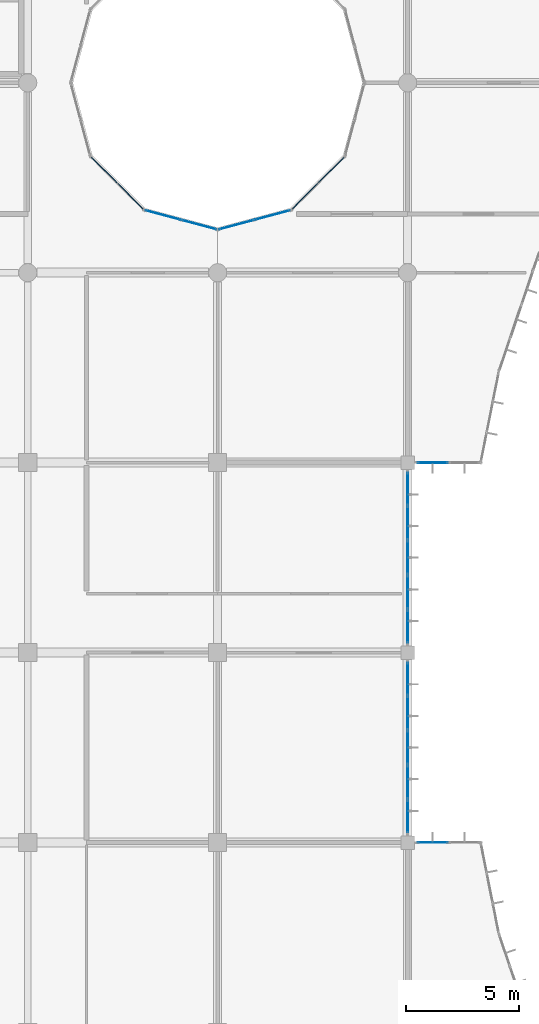
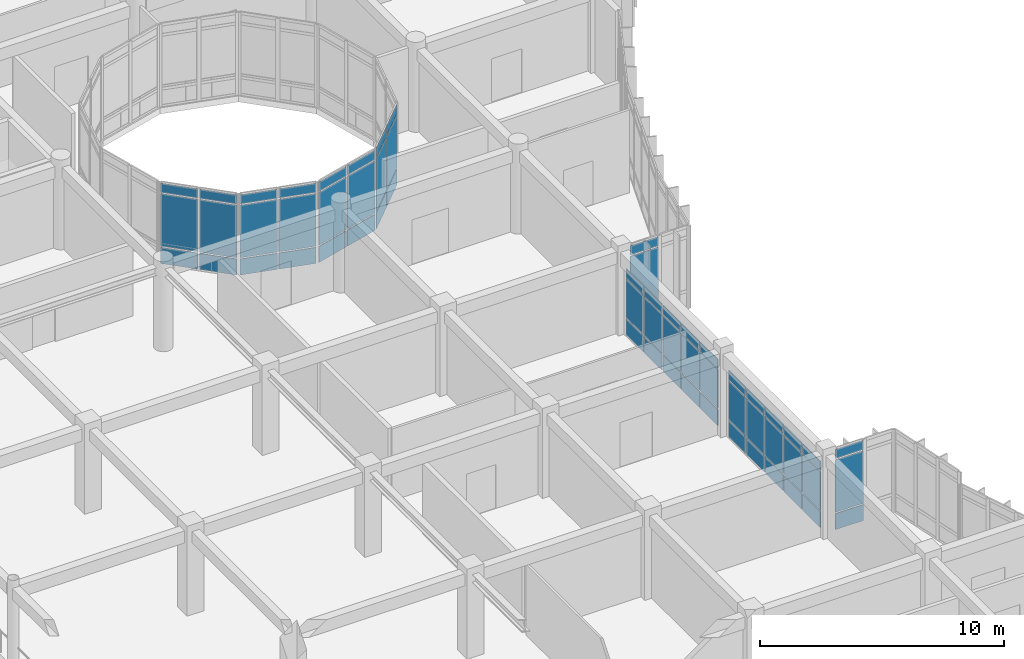
# One storey, part 77 of 144: 60 plates, 8 elements without a shape of their own.
"""IFC4 building model written with IfcOpenShell, lengths in metres."""

import ifcopenshell
import ifcopenshell.guid

model = None  # the IFC model being written
_history = None  # IfcOwnerHistory: only IFC2X3 demands one
_inside = {}  # id of a spatial element -> (the spatial element, [elements in it])
_under = {}  # id of a project, library or spatial element -> (it, [spatial elements below it])
_declared = {}  # id of a project -> (the project, [libraries it declares])
_typed = {}  # id of a type object -> (the type object, [elements of that type])
_made_of = {}  # id of a material, layer set ... -> (it, [elements and type objects made of it])


def new_model(schema):
    """Start an empty IFC model of exactly this schema.

    Asked for "IFC4X3", IfcOpenShell would pick the latest addendum, in which some entities
    have other attributes; the version numbers below select the first issue.
    IFC2X3 requires an IfcOwnerHistory on every rooted entity: one is made here for all.
    """
    global model, _history
    if schema == "IFC4X3":
        model = ifcopenshell.file(schema_version=(4, 3, 0, 0))
    else:
        model = ifcopenshell.file(schema=schema)
    _inside.clear()
    _under.clear()
    _declared.clear()
    _typed.clear()
    _made_of.clear()
    _history = None
    if model.schema == "IFC2X3":
        org = make("IfcOrganization", Name="unknown")
        user = make(
            "IfcPersonAndOrganization",
            ThePerson=make("IfcPerson", FamilyName="unknown"),
            TheOrganization=org,
        )
        app = make(
            "IfcApplication",
            ApplicationDeveloper=org,
            Version="unknown",
            ApplicationFullName="unknown",
            ApplicationIdentifier="unknown",
        )
        _history = make(
            "IfcOwnerHistory",
            OwningUser=user,
            OwningApplication=app,
            ChangeAction="ADDED",
            CreationDate=0,
        )
    return model


def make(cls, **values):
    """One entity of the class cls with the attributes given. An attribute that is None is left unset."""
    return model.create_entity(
        cls, **{name: value for name, value in values.items() if value is not None}
    )


def rooted(cls, **values):
    """An entity with a GlobalId (a new one), such as an element, a storey or a relation."""
    return make(cls, GlobalId=ifcopenshell.guid.new(), OwnerHistory=_history, **values)


def si_unit(unit_type, name, prefix=None):
    """IfcSIUnit, for example si_unit("LENGTHUNIT", "METRE", prefix="MILLI")."""
    return make("IfcSIUnit", UnitType=unit_type, Prefix=prefix, Name=name)


def assignment(units):
    """IfcUnitAssignment: the units of a project."""
    return None if units is None else make("IfcUnitAssignment", Units=units)


def point(xyz):
    """IfcCartesianPoint."""
    return None if xyz is None else make("IfcCartesianPoint", Coordinates=xyz)


def direction(xyz):
    """IfcDirection."""
    return None if xyz is None else make("IfcDirection", DirectionRatios=xyz)


def frame(location, z_axis=None, x_axis=None):
    """IfcAxis2Placement3D, a coordinate frame: its origin and axes. An axis left out is left unset."""
    return make(
        "IfcAxis2Placement3D",
        Location=point(location),
        Axis=direction(z_axis),
        RefDirection=direction(x_axis),
    )


def frame_2d(location, x_axis=None):
    """IfcAxis2Placement2D, a coordinate frame in the plane: its origin and x axis."""
    return make(
        "IfcAxis2Placement2D", Location=point(location), RefDirection=direction(x_axis)
    )


def origin():
    """The frame at (0, 0, 0) with its axes left unset."""
    return frame((0.0, 0.0, 0.0))


def origin_2d():
    """The frame at (0, 0) in the plane with its x axis left unset."""
    return frame_2d((0.0, 0.0))


def place(relative_to, where):
    """IfcLocalPlacement: puts the frame where relative to a parent placement (None: the world)."""
    return make(
        "IfcLocalPlacement", PlacementRelTo=relative_to, RelativePlacement=where
    )


def context(
    kind, dimensions, precision=None, world=None, true_north=None, identifier=None
):
    """IfcGeometricRepresentationContext, for example the 3D "Model" context."""
    return make(
        "IfcGeometricRepresentationContext",
        ContextIdentifier=identifier,
        ContextType=kind,
        CoordinateSpaceDimension=dimensions,
        Precision=precision,
        WorldCoordinateSystem=world,
        TrueNorth=true_north,
    )


def subcontext(parent, identifier, kind, view, scale=None):
    """IfcGeometricRepresentationSubContext, for example "Body" below "Model"."""
    return make(
        "IfcGeometricRepresentationSubContext",
        ContextIdentifier=identifier,
        ContextType=kind,
        ParentContext=parent,
        TargetScale=scale,
        TargetView=view,
    )


def project(units=None, contexts=None):
    """IfcProject with its units and contexts."""
    return rooted(
        "IfcProject",
        Name="project",
        RepresentationContexts=contexts,
        UnitsInContext=assignment(units),
    )


def spatial(cls, under=None, at=None, **own):
    """A site, building, storey or space (cls), placed at a placement, below another one or the project."""
    s = rooted(cls, ObjectPlacement=at, **own)
    if under is not None:
        _under.setdefault(under.id(), (under, []))[1].append(s)
    return s


def profile(cls, at=None, kind="AREA", **sizes):
    """A parametric profile (cls). Its sizes go by their IFC names, for example OverallWidth=200.0."""
    return make(cls, ProfileType=kind, Position=at, **sizes)


def rectangle(**sizes):
    """IfcRectangleProfileDef."""
    return profile("IfcRectangleProfileDef", **sizes)


def extrude(swept, where, along, depth):
    """IfcExtrudedAreaSolid: the profile swept, set in the frame where, extruded along a direction by depth."""
    return make(
        "IfcExtrudedAreaSolid",
        SweptArea=swept,
        Position=where,
        ExtrudedDirection=direction(along),
        Depth=depth,
    )


def shape(context_of_items, identifier, shape_type, items):
    """IfcShapeRepresentation: the items that make up one representation, for example the "Body"."""
    return make(
        "IfcShapeRepresentation",
        ContextOfItems=context_of_items,
        RepresentationIdentifier=identifier,
        RepresentationType=shape_type,
        Items=items,
    )


def material(Name=None, Category=None):
    """IfcMaterial."""
    return make("IfcMaterial", Name=Name, Category=Category)


def layer(
    of_material, thickness, ventilated=None, Name=None, Category=None, Priority=None
):
    """IfcMaterialLayer: one layer of a wall or slab, of a material (None: an air gap)."""
    return make(
        "IfcMaterialLayer",
        Material=of_material,
        LayerThickness=thickness,
        IsVentilated=ventilated,
        Name=Name,
        Category=Category,
        Priority=Priority,
    )


def layer_set(layers, Name=None):
    """IfcMaterialLayerSet."""
    return make("IfcMaterialLayerSet", MaterialLayers=layers, LayerSetName=Name)


def made_of(thing, what):
    """Note that an element or type object is made of a material, layer set ...; save() writes the relation."""
    if what is not None:
        _made_of.setdefault(what.id(), (what, []))[1].append(thing)
    return thing


def type_object(cls, material=None, **own):
    """A type object (cls), such as IfcWallType, which elements share."""
    return made_of(rooted(cls, **own), material)


def element(
    cls,
    number,
    at=None,
    inside=None,
    cuts=None,
    type_object=None,
    material=None,
    context=None,
    identifier="Body",
    shape_type=None,
    held_by="IfcProductDefinitionShape",
    body=None,
    shapes=None,
    **own,
):
    """One element of the class cls, such as IfcWall. Its Tag is "e" and its number.

    at: its placement. inside: the storey or other place that contains it. cuts: it is an
    opening in that element (IfcRelVoidsElement). A single representation is given by context,
    identifier, shape_type and body (its items); several are given by shapes. held_by: the class
    of the entity that holds the representations. save() writes the other relations.
    """
    e = rooted(cls, Tag="e%d" % number, ObjectPlacement=at, **own)
    if body is not None:
        shapes = [shape(context, identifier, shape_type, body)]
    if shapes is not None:
        e.Representation = make(held_by, Representations=shapes)
    if inside is not None:
        _inside.setdefault(inside.id(), (inside, []))[1].append(e)
    if cuts is not None:
        rooted(
            "IfcRelVoidsElement", RelatingBuildingElement=cuts, RelatedOpeningElement=e
        )
    if type_object is not None:
        _typed.setdefault(type_object.id(), (type_object, []))[1].append(e)
    return made_of(e, material)


def aggregate(whole, parts):
    """IfcRelAggregates: a whole, such as a stair, and the parts it consists of."""
    return rooted("IfcRelAggregates", RelatingObject=whole, RelatedObjects=parts)


def save(model, path):
    """Write the relations noted so far, then the file.

    IfcRelAggregates (storeys below a building ...), IfcRelContainedInSpatialStructure (elements
    in a storey), IfcRelDefinesByType, IfcRelAssociatesMaterial and IfcRelDeclares: one each for
    every whole, place, type object, material and project.
    """
    for whole, parts in _under.values():
        aggregate(whole, parts)
    for where, things in _inside.values():
        rooted(
            "IfcRelContainedInSpatialStructure",
            RelatedElements=things,
            RelatingStructure=where,
        )
    for kind, things in _typed.values():
        rooted("IfcRelDefinesByType", RelatedObjects=things, RelatingType=kind)
    for what, things in _made_of.values():
        rooted("IfcRelAssociatesMaterial", RelatedObjects=things, RelatingMaterial=what)
    for by, libraries in _declared.values():
        rooted("IfcRelDeclares", RelatingContext=by, RelatedDefinitions=libraries)
    model.write(path)


model = new_model("IFC4")

# Units and contexts
model_context = context("Model", 3, precision=1e-05, world=origin(), true_north=direction((0.0, 1.0)))
body_context = subcontext(model_context, "Body", "Model", "MODEL_VIEW")
ifc_project = project(units=[si_unit("LENGTHUNIT", "METRE"), si_unit("AREAUNIT", "SQUARE_METRE"), si_unit("VOLUMEUNIT", "CUBIC_METRE"), si_unit("PLANEANGLEUNIT", "RADIAN"), si_unit("MASSUNIT", "GRAM", prefix="KILO")], contexts=[model_context])

# Site, building, storey
site_placement = place(None, origin())
site = spatial("IfcSite", under=ifc_project, at=site_placement, CompositionType="ELEMENT")
building_placement = place(site_placement, origin())
building = spatial("IfcBuilding", under=site, at=building_placement, Name="Bramfleet General Hospital", CompositionType="ELEMENT")
storey_placement = place(building_placement, frame((0.0, 0.0, 4.800048828125)))
storey = spatial("IfcBuildingStorey", under=building, at=storey_placement, Name="L01", CompositionType="ELEMENT", Elevation=4.800048828125)

# Curtain wall, plates
ifc_material_1 = material(Name="Anodised aluminium and low-E triple glazing", Category="aluminium")
ifc_layer_1 = layer(ifc_material_1, 0.179931640625, Name="CWT-CW-11")
ifc_layer_set_1 = layer_set([ifc_layer_1], Name="Anodised aluminium and low-E triple glazing")
curtain_wall_type_1 = type_object("IfcCurtainWallType", Name="CWT-CW-11", PredefinedType="USERDEFINED", material=ifc_layer_set_1)
curtain_wall_1_placement = place(storey_placement, origin())
curtain_wall_1 = element("IfcCurtainWall", 1, at=curtain_wall_1_placement, inside=storey, type_object=curtain_wall_type_1, Name="L01 Curtain Wall 65", ObjectType="Stick curtain wall", PredefinedType="USERDEFINED")
ifc_material_2 = material(Name="Low-E laminated safety glass", Category="glass")
ifc_layer_2 = layer(ifc_material_2, 0.028076171875, Name="CWP-GLZ-1")
ifc_layer_set_2 = layer_set([ifc_layer_2], Name="Low-E laminated safety glass")
plate_type_1 = type_object("IfcPlateType", Name="CWP-GLZ-1", PredefinedType="CURTAIN_PANEL", material=ifc_layer_set_2)
plate_1_placement = place(storey_placement, frame((127.107421875, 33.60009765625, 0.06494140625), z_axis=(0.0, 0.0, 1.0), x_axis=(1.0, 0.0, 0.0)))
plate_1 = element("IfcPlate", 2, at=plate_1_placement, type_object=plate_type_1, Name="CW-11 panel 1.1", PredefinedType="CURTAIN_PANEL", context=body_context, shape_type="SweptSolid", body=[
    extrude(rectangle(XDim=1.324951171875, YDim=0.028076171875, at=origin_2d()), origin(), (0.0, 0.0, 1.0), 0.802490234375),
])
plate_2_placement = place(storey_placement, frame((127.107421875, 33.60009765625, 0.932373046875), z_axis=(0.0, 0.0, 1.0), x_axis=(1.0, 0.0, 0.0)))
plate_2 = element("IfcPlate", 3, at=plate_2_placement, type_object=plate_type_1, Name="CW-11 panel 1.2", PredefinedType="CURTAIN_PANEL", context=body_context, shape_type="SweptSolid", body=[
    extrude(rectangle(XDim=1.324951171875, YDim=0.028076171875, at=origin_2d()), origin(), (0.0, 0.0, 1.0), 2.625),
])
plate_3_placement = place(storey_placement, frame((127.107421875, 33.60009765625, 3.62255859375), z_axis=(0.0, 0.0, 1.0), x_axis=(1.0, 0.0, 0.0)))
plate_3 = element("IfcPlate", 4, at=plate_3_placement, type_object=plate_type_1, Name="CW-11 panel 1.3", PredefinedType="CURTAIN_PANEL", context=body_context, shape_type="SweptSolid", body=[
    extrude(rectangle(XDim=1.324951171875, YDim=0.028076171875, at=origin_2d()), origin(), (0.0, 0.0, 1.0), 0.452392578125),
])
aggregate(curtain_wall_1, [plate_1, plate_2, plate_3])

ifc_layer_3 = layer(ifc_material_1, 0.179931640625, Name="CWT-CW-08")
ifc_layer_set_3 = layer_set([ifc_layer_3], Name="Anodised aluminium and low-E triple glazing")
curtain_wall_type_2 = type_object("IfcCurtainWallType", Name="CWT-CW-08", PredefinedType="USERDEFINED", material=ifc_layer_set_3)
curtain_wall_2_placement = place(storey_placement, origin())
curtain_wall_2 = element("IfcCurtainWall", 5, at=curtain_wall_2_placement, inside=storey, type_object=curtain_wall_type_2, Name="L01 Curtain Wall 62", ObjectType="Unitised curtain wall", PredefinedType="USERDEFINED")
ifc_layer_4 = layer(ifc_material_2, 0.031982421875, Name="CWP-GLZ-2")
ifc_layer_set_4 = layer_set([ifc_layer_4], Name="Low-E laminated safety glass")
plate_type_2 = type_object("IfcPlateType", Name="CWP-GLZ-2", PredefinedType="CURTAIN_PANEL", material=ifc_layer_set_4)
plate_4_placement = place(storey_placement, frame((127.107421875, 50.39990234375, 0.06494140625), z_axis=(0.0, 0.0, 1.0), x_axis=(-1.0, 0.0, 0.0)))
plate_4 = element("IfcPlate", 6, at=plate_4_placement, type_object=plate_type_2, Name="CW-08 panel 2.1", PredefinedType="CURTAIN_PANEL", context=body_context, shape_type="SweptSolid", body=[
    extrude(rectangle(XDim=1.324951171875, YDim=0.031982421875, at=origin_2d()), origin(), (0.0, 0.0, 1.0), 0.802490234375),
])
plate_5_placement = place(storey_placement, frame((127.107421875, 50.39990234375, 0.932373046875), z_axis=(0.0, 0.0, 1.0), x_axis=(-1.0, 0.0, 0.0)))
plate_5 = element("IfcPlate", 7, at=plate_5_placement, type_object=plate_type_2, Name="CW-08 panel 2.2", PredefinedType="CURTAIN_PANEL", context=body_context, shape_type="SweptSolid", body=[
    extrude(rectangle(XDim=1.324951171875, YDim=0.031982421875, at=origin_2d()), origin(), (0.0, 0.0, 1.0), 2.625),
])
plate_6_placement = place(storey_placement, frame((127.107421875, 50.39990234375, 3.62255859375), z_axis=(0.0, 0.0, 1.0), x_axis=(-1.0, 0.0, 0.0)))
plate_6 = element("IfcPlate", 8, at=plate_6_placement, type_object=plate_type_2, Name="CW-08 panel 2.3", PredefinedType="CURTAIN_PANEL", context=body_context, shape_type="SweptSolid", body=[
    extrude(rectangle(XDim=1.324951171875, YDim=0.031982421875, at=origin_2d()), origin(), (0.0, 0.0, 1.0), 0.452392578125),
])
aggregate(curtain_wall_2, [plate_4, plate_5, plate_6])

ifc_layer_5 = layer(ifc_material_1, 0.179931640625, Name="CWT-CW-18")
ifc_layer_set_5 = layer_set([ifc_layer_5], Name="Anodised aluminium and low-E triple glazing")
curtain_wall_type_3 = type_object("IfcCurtainWallType", Name="CWT-CW-18", PredefinedType="USERDEFINED", material=ifc_layer_set_5)
curtain_wall_3_placement = place(storey_placement, origin())
curtain_wall_3 = element("IfcCurtainWall", 9, at=curtain_wall_3_placement, inside=storey, type_object=curtain_wall_type_3, Name="L01 East Laboratory Light Court Curtain Wall 2.1", ObjectType="Stick curtain wall", PredefinedType="USERDEFINED")
plate_7_placement = place(storey_placement, frame((112.578125, 63.3427734375, 0.06494140625), z_axis=(0.0, 0.0, 1.0), x_axis=(0.707106781187, -0.707106781187, 0.0)))
plate_7 = element("IfcPlate", 10, at=plate_7_placement, type_object=plate_type_2, Name="CW-18 panel 1.1", PredefinedType="CURTAIN_PANEL", context=body_context, shape_type="SweptSolid", body=[
    extrude(rectangle(XDim=1.5771484375, YDim=0.031982421875, at=origin_2d()), origin(), (0.0, 0.0, 1.0), 0.802490234375),
])
plate_8_placement = place(storey_placement, frame((112.578125, 63.3427734375, 0.932373046875), z_axis=(0.0, 0.0, 1.0), x_axis=(0.707106781187, -0.707106781187, 0.0)))
plate_8 = element("IfcPlate", 11, at=plate_8_placement, type_object=plate_type_2, Name="CW-18 panel 1.2", PredefinedType="CURTAIN_PANEL", context=body_context, shape_type="SweptSolid", body=[
    extrude(rectangle(XDim=1.5771484375, YDim=0.031982421875, at=origin_2d()), origin(), (0.0, 0.0, 1.0), 2.625),
])
plate_9_placement = place(storey_placement, frame((112.578125, 63.3427734375, 3.62255859375), z_axis=(0.0, 0.0, 1.0), x_axis=(0.707106781187, -0.707106781187, 0.0)))
plate_9 = element("IfcPlate", 12, at=plate_9_placement, type_object=plate_type_2, Name="CW-18 panel 1.3", PredefinedType="CURTAIN_PANEL", context=body_context, shape_type="SweptSolid", body=[
    extrude(rectangle(XDim=1.5771484375, YDim=0.031982421875, at=origin_2d()), origin(), (0.0, 0.0, 1.0), 0.452392578125),
])
plate_10_placement = place(storey_placement, frame((113.742919921875, 62.17822265625, 0.06494140625), z_axis=(0.0, 0.0, 1.0), x_axis=(0.707106781187, -0.707106781187, 0.0)))
plate_10 = element("IfcPlate", 13, at=plate_10_placement, type_object=plate_type_2, Name="CW-18 panel 2.1", PredefinedType="CURTAIN_PANEL", context=body_context, shape_type="SweptSolid", body=[
    extrude(rectangle(XDim=1.5771484375, YDim=0.031982421875, at=origin_2d()), origin(), (0.0, 0.0, 1.0), 0.802490234375),
])
plate_11_placement = place(storey_placement, frame((113.742919921875, 62.17822265625, 0.932373046875), z_axis=(0.0, 0.0, 1.0), x_axis=(0.707106781187, -0.707106781187, 0.0)))
plate_11 = element("IfcPlate", 14, at=plate_11_placement, type_object=plate_type_2, Name="CW-18 panel 2.2", PredefinedType="CURTAIN_PANEL", context=body_context, shape_type="SweptSolid", body=[
    extrude(rectangle(XDim=1.5771484375, YDim=0.031982421875, at=origin_2d()), origin(), (0.0, 0.0, 1.0), 2.625),
])
plate_12_placement = place(storey_placement, frame((113.742919921875, 62.17822265625, 3.62255859375), z_axis=(0.0, 0.0, 1.0), x_axis=(0.707106781187, -0.707106781187, 0.0)))
plate_12 = element("IfcPlate", 15, at=plate_12_placement, type_object=plate_type_2, Name="CW-18 panel 2.3", PredefinedType="CURTAIN_PANEL", context=body_context, shape_type="SweptSolid", body=[
    extrude(rectangle(XDim=1.5771484375, YDim=0.031982421875, at=origin_2d()), origin(), (0.0, 0.0, 1.0), 0.452392578125),
])
aggregate(curtain_wall_3, [plate_7, plate_8, plate_9, plate_10, plate_11, plate_12])

curtain_wall_4_placement = place(storey_placement, origin())
curtain_wall_4 = element("IfcCurtainWall", 16, at=curtain_wall_4_placement, inside=storey, type_object=curtain_wall_type_1, Name="L01 East Laboratory Light Court Curtain Wall 3.1", ObjectType="Stick curtain wall", PredefinedType="USERDEFINED")
plate_13_placement = place(storey_placement, frame((115.179443359375, 61.3486328125, 0.06494140625), z_axis=(0.0, 0.0, 1.0), x_axis=(0.965913556273, -0.258864833085, 0.0)))
plate_13 = element("IfcPlate", 17, at=plate_13_placement, type_object=plate_type_2, Name="CW-11 panel 1.1", PredefinedType="CURTAIN_PANEL", context=body_context, shape_type="SweptSolid", body=[
    extrude(rectangle(XDim=1.577392578125, YDim=0.031982421875, at=origin_2d()), origin(), (0.0, 0.0, 1.0), 0.802490234375),
])
plate_14_placement = place(storey_placement, frame((115.179443359375, 61.3486328125, 0.932373046875), z_axis=(0.0, 0.0, 1.0), x_axis=(0.965913556273, -0.258864833085, 0.0)))
plate_14 = element("IfcPlate", 18, at=plate_14_placement, type_object=plate_type_2, Name="CW-11 panel 1.2", PredefinedType="CURTAIN_PANEL", context=body_context, shape_type="SweptSolid", body=[
    extrude(rectangle(XDim=1.577392578125, YDim=0.031982421875, at=origin_2d()), origin(), (0.0, 0.0, 1.0), 2.625),
])
plate_15_placement = place(storey_placement, frame((115.179443359375, 61.3486328125, 3.62255859375), z_axis=(0.0, 0.0, 1.0), x_axis=(0.965913556273, -0.258864833085, 0.0)))
plate_15 = element("IfcPlate", 19, at=plate_15_placement, type_object=plate_type_2, Name="CW-11 panel 1.3", PredefinedType="CURTAIN_PANEL", context=body_context, shape_type="SweptSolid", body=[
    extrude(rectangle(XDim=1.577392578125, YDim=0.031982421875, at=origin_2d()), origin(), (0.0, 0.0, 1.0), 0.452392578125),
])
plate_16_placement = place(storey_placement, frame((116.7705078125, 60.92236328125, 0.06494140625), z_axis=(0.0, 0.0, 1.0), x_axis=(0.965913556273, -0.258864833085, 0.0)))
plate_16 = element("IfcPlate", 20, at=plate_16_placement, type_object=plate_type_2, Name="CW-11 panel 2.1", PredefinedType="CURTAIN_PANEL", context=body_context, shape_type="SweptSolid", body=[
    extrude(rectangle(XDim=1.577392578125, YDim=0.031982421875, at=origin_2d()), origin(), (0.0, 0.0, 1.0), 0.802490234375),
])
plate_17_placement = place(storey_placement, frame((116.7705078125, 60.92236328125, 0.932373046875), z_axis=(0.0, 0.0, 1.0), x_axis=(0.965913556273, -0.258864833085, 0.0)))
plate_17 = element("IfcPlate", 21, at=plate_17_placement, type_object=plate_type_2, Name="CW-11 panel 2.2", PredefinedType="CURTAIN_PANEL", context=body_context, shape_type="SweptSolid", body=[
    extrude(rectangle(XDim=1.577392578125, YDim=0.031982421875, at=origin_2d()), origin(), (0.0, 0.0, 1.0), 2.625),
])
plate_18_placement = place(storey_placement, frame((116.7705078125, 60.92236328125, 3.62255859375), z_axis=(0.0, 0.0, 1.0), x_axis=(0.965913556273, -0.258864833085, 0.0)))
plate_18 = element("IfcPlate", 22, at=plate_18_placement, type_object=plate_type_2, Name="CW-11 panel 2.3", PredefinedType="CURTAIN_PANEL", context=body_context, shape_type="SweptSolid", body=[
    extrude(rectangle(XDim=1.577392578125, YDim=0.031982421875, at=origin_2d()), origin(), (0.0, 0.0, 1.0), 0.452392578125),
])
aggregate(curtain_wall_4, [plate_13, plate_14, plate_15, plate_16, plate_17, plate_18])

ifc_layer_6 = layer(ifc_material_1, 0.179931640625, Name="CWT-CW-12")
ifc_layer_set_6 = layer_set([ifc_layer_6], Name="Anodised aluminium and low-E triple glazing")
curtain_wall_type_4 = type_object("IfcCurtainWallType", Name="CWT-CW-12", PredefinedType="USERDEFINED", material=ifc_layer_set_6)
curtain_wall_5_placement = place(storey_placement, origin())
curtain_wall_5 = element("IfcCurtainWall", 23, at=curtain_wall_5_placement, inside=storey, type_object=curtain_wall_type_4, Name="L01 East Laboratory Light Court Curtain Wall 4.1", ObjectType="Stick curtain wall", PredefinedType="USERDEFINED")
plate_19_placement = place(storey_placement, frame((118.429443359375, 60.92236328125, 0.06494140625), z_axis=(0.0, 0.0, 1.0), x_axis=(0.965913556273, 0.258864833085, 0.0)))
plate_19 = element("IfcPlate", 24, at=plate_19_placement, type_object=plate_type_2, Name="CW-12 panel 1.1", PredefinedType="CURTAIN_PANEL", context=body_context, shape_type="SweptSolid", body=[
    extrude(rectangle(XDim=1.577392578125, YDim=0.031982421875, at=origin_2d()), origin(), (0.0, 0.0, 1.0), 0.802490234375),
])
plate_20_placement = place(storey_placement, frame((118.429443359375, 60.92236328125, 0.932373046875), z_axis=(0.0, 0.0, 1.0), x_axis=(0.965913556273, 0.258864833085, 0.0)))
plate_20 = element("IfcPlate", 25, at=plate_20_placement, type_object=plate_type_2, Name="CW-12 panel 1.2", PredefinedType="CURTAIN_PANEL", context=body_context, shape_type="SweptSolid", body=[
    extrude(rectangle(XDim=1.577392578125, YDim=0.031982421875, at=origin_2d()), origin(), (0.0, 0.0, 1.0), 2.625),
])
plate_21_placement = place(storey_placement, frame((118.429443359375, 60.92236328125, 3.62255859375), z_axis=(0.0, 0.0, 1.0), x_axis=(0.965913556273, 0.258864833085, 0.0)))
plate_21 = element("IfcPlate", 26, at=plate_21_placement, type_object=plate_type_2, Name="CW-12 panel 1.3", PredefinedType="CURTAIN_PANEL", context=body_context, shape_type="SweptSolid", body=[
    extrude(rectangle(XDim=1.577392578125, YDim=0.031982421875, at=origin_2d()), origin(), (0.0, 0.0, 1.0), 0.452392578125),
])
plate_22_placement = place(storey_placement, frame((120.0205078125, 61.3486328125, 0.06494140625), z_axis=(0.0, 0.0, 1.0), x_axis=(0.965913556273, 0.258864833085, 0.0)))
plate_22 = element("IfcPlate", 27, at=plate_22_placement, type_object=plate_type_2, Name="CW-12 panel 2.1", PredefinedType="CURTAIN_PANEL", context=body_context, shape_type="SweptSolid", body=[
    extrude(rectangle(XDim=1.577392578125, YDim=0.031982421875, at=origin_2d()), origin(), (0.0, 0.0, 1.0), 0.802490234375),
])
plate_23_placement = place(storey_placement, frame((120.0205078125, 61.3486328125, 0.932373046875), z_axis=(0.0, 0.0, 1.0), x_axis=(0.965913556273, 0.258864833085, 0.0)))
plate_23 = element("IfcPlate", 28, at=plate_23_placement, type_object=plate_type_2, Name="CW-12 panel 2.2", PredefinedType="CURTAIN_PANEL", context=body_context, shape_type="SweptSolid", body=[
    extrude(rectangle(XDim=1.577392578125, YDim=0.031982421875, at=origin_2d()), origin(), (0.0, 0.0, 1.0), 2.625),
])
plate_24_placement = place(storey_placement, frame((120.0205078125, 61.3486328125, 3.62255859375), z_axis=(0.0, 0.0, 1.0), x_axis=(0.965913556273, 0.258864833085, 0.0)))
plate_24 = element("IfcPlate", 29, at=plate_24_placement, type_object=plate_type_2, Name="CW-12 panel 2.3", PredefinedType="CURTAIN_PANEL", context=body_context, shape_type="SweptSolid", body=[
    extrude(rectangle(XDim=1.577392578125, YDim=0.031982421875, at=origin_2d()), origin(), (0.0, 0.0, 1.0), 0.452392578125),
])
aggregate(curtain_wall_5, [plate_19, plate_20, plate_21, plate_22, plate_23, plate_24])

ifc_layer_7 = layer(ifc_material_1, 0.179931640625, Name="CWT-CW-13")
ifc_layer_set_7 = layer_set([ifc_layer_7], Name="Anodised aluminium and low-E triple glazing")
curtain_wall_type_5 = type_object("IfcCurtainWallType", Name="CWT-CW-13", PredefinedType="USERDEFINED", material=ifc_layer_set_7)
curtain_wall_6_placement = place(storey_placement, origin())
curtain_wall_6 = element("IfcCurtainWall", 30, at=curtain_wall_6_placement, inside=storey, type_object=curtain_wall_type_5, Name="L01 East Laboratory Light Court Curtain Wall 5.1", ObjectType="Stick curtain wall", PredefinedType="USERDEFINED")
plate_25_placement = place(storey_placement, frame((121.45703125, 62.17822265625, 0.06494140625), z_axis=(0.0, 0.0, 1.0), x_axis=(0.707106781187, 0.707106781187, 0.0)))
plate_25 = element("IfcPlate", 31, at=plate_25_placement, type_object=plate_type_2, Name="CW-13 panel 1.1", PredefinedType="CURTAIN_PANEL", context=body_context, shape_type="SweptSolid", body=[
    extrude(rectangle(XDim=1.5771484375, YDim=0.031982421875, at=origin_2d()), origin(), (0.0, 0.0, 1.0), 0.802490234375),
])
plate_26_placement = place(storey_placement, frame((121.45703125, 62.17822265625, 0.932373046875), z_axis=(0.0, 0.0, 1.0), x_axis=(0.707106781187, 0.707106781187, 0.0)))
plate_26 = element("IfcPlate", 32, at=plate_26_placement, type_object=plate_type_2, Name="CW-13 panel 1.2", PredefinedType="CURTAIN_PANEL", context=body_context, shape_type="SweptSolid", body=[
    extrude(rectangle(XDim=1.5771484375, YDim=0.031982421875, at=origin_2d()), origin(), (0.0, 0.0, 1.0), 2.625),
])
plate_27_placement = place(storey_placement, frame((121.45703125, 62.17822265625, 3.62255859375), z_axis=(0.0, 0.0, 1.0), x_axis=(0.707106781187, 0.707106781187, 0.0)))
plate_27 = element("IfcPlate", 33, at=plate_27_placement, type_object=plate_type_2, Name="CW-13 panel 1.3", PredefinedType="CURTAIN_PANEL", context=body_context, shape_type="SweptSolid", body=[
    extrude(rectangle(XDim=1.5771484375, YDim=0.031982421875, at=origin_2d()), origin(), (0.0, 0.0, 1.0), 0.452392578125),
])
plate_28_placement = place(storey_placement, frame((122.621826171875, 63.3427734375, 0.06494140625), z_axis=(0.0, 0.0, 1.0), x_axis=(0.707106781187, 0.707106781187, 0.0)))
plate_28 = element("IfcPlate", 34, at=plate_28_placement, type_object=plate_type_2, Name="CW-13 panel 2.1", PredefinedType="CURTAIN_PANEL", context=body_context, shape_type="SweptSolid", body=[
    extrude(rectangle(XDim=1.5771484375, YDim=0.031982421875, at=origin_2d()), origin(), (0.0, 0.0, 1.0), 0.802490234375),
])
plate_29_placement = place(storey_placement, frame((122.621826171875, 63.3427734375, 0.932373046875), z_axis=(0.0, 0.0, 1.0), x_axis=(0.707106781187, 0.707106781187, 0.0)))
plate_29 = element("IfcPlate", 35, at=plate_29_placement, type_object=plate_type_2, Name="CW-13 panel 2.2", PredefinedType="CURTAIN_PANEL", context=body_context, shape_type="SweptSolid", body=[
    extrude(rectangle(XDim=1.5771484375, YDim=0.031982421875, at=origin_2d()), origin(), (0.0, 0.0, 1.0), 2.625),
])
plate_30_placement = place(storey_placement, frame((122.621826171875, 63.3427734375, 3.62255859375), z_axis=(0.0, 0.0, 1.0), x_axis=(0.707106781187, 0.707106781187, 0.0)))
plate_30 = element("IfcPlate", 36, at=plate_30_placement, type_object=plate_type_2, Name="CW-13 panel 2.3", PredefinedType="CURTAIN_PANEL", context=body_context, shape_type="SweptSolid", body=[
    extrude(rectangle(XDim=1.5771484375, YDim=0.031982421875, at=origin_2d()), origin(), (0.0, 0.0, 1.0), 0.452392578125),
])
aggregate(curtain_wall_6, [plate_25, plate_26, plate_27, plate_28, plate_29, plate_30])

ifc_layer_8 = layer(ifc_material_1, 0.179931640625, Name="CWT-CW-09")
ifc_layer_set_8 = layer_set([ifc_layer_8], Name="Anodised aluminium and low-E triple glazing")
curtain_wall_type_6 = type_object("IfcCurtainWallType", Name="CWT-CW-09", PredefinedType="USERDEFINED", material=ifc_layer_set_8)
curtain_wall_7_placement = place(storey_placement, origin())
curtain_wall_7 = element("IfcCurtainWall", 37, at=curtain_wall_7_placement, inside=storey, type_object=curtain_wall_type_6, Name="L01 Curtain Wall 63", ObjectType="Unitised curtain wall", PredefinedType="USERDEFINED")
ifc_layer_9 = layer(ifc_material_2, 0.035888671875, Name="CWP-GLZ-3")
ifc_layer_set_9 = layer_set([ifc_layer_9], Name="Low-E laminated safety glass")
plate_type_3 = type_object("IfcPlateType", Name="CWP-GLZ-3", PredefinedType="CURTAIN_PANEL", material=ifc_layer_set_9)
plate_31_placement = place(storey_placement, frame((126.0, 49.242431640625, 0.06494140625), z_axis=(0.0, 0.0, 1.0), x_axis=(0.0, -1.0, 0.0)))
plate_31 = element("IfcPlate", 38, at=plate_31_placement, type_object=plate_type_3, Name="CW-09 panel 1.1", PredefinedType="CURTAIN_PANEL", context=body_context, shape_type="SweptSolid", body=[
    extrude(rectangle(XDim=1.425048828125, YDim=0.035888671875, at=origin_2d()), origin(), (0.0, 0.0, 1.0), 0.802490234375),
])
plate_32_placement = place(storey_placement, frame((126.0, 49.242431640625, 0.9326171875), z_axis=(0.0, 0.0, 1.0), x_axis=(0.0, -1.0, 0.0)))
plate_32 = element("IfcPlate", 39, at=plate_32_placement, type_object=plate_type_3, Name="CW-09 panel 1.2", PredefinedType="CURTAIN_PANEL", context=body_context, shape_type="SweptSolid", body=[
    extrude(rectangle(XDim=1.425048828125, YDim=0.035888671875, at=origin_2d()), origin(), (0.0, 0.0, 1.0), 1.925048828125),
])
plate_33_placement = place(storey_placement, frame((126.0, 49.242431640625, 2.92236328125), z_axis=(0.0, 0.0, 1.0), x_axis=(0.0, -1.0, 0.0)))
plate_33 = element("IfcPlate", 40, at=plate_33_placement, type_object=plate_type_3, Name="CW-09 panel 1.3", PredefinedType="CURTAIN_PANEL", context=body_context, shape_type="SweptSolid", body=[
    extrude(rectangle(XDim=1.425048828125, YDim=0.035888671875, at=origin_2d()), origin(), (0.0, 0.0, 1.0), 0.452392578125),
])
plate_34_placement = place(storey_placement, frame((126.0, 47.72998046875, 0.06494140625), z_axis=(0.0, 0.0, 1.0), x_axis=(0.0, -1.0, 0.0)))
plate_34 = element("IfcPlate", 41, at=plate_34_placement, type_object=plate_type_3, Name="CW-09 panel 2.1", PredefinedType="CURTAIN_PANEL", context=body_context, shape_type="SweptSolid", body=[
    extrude(rectangle(XDim=1.4599609375, YDim=0.035888671875, at=origin_2d()), origin(), (0.0, 0.0, 1.0), 0.802490234375),
])
plate_35_placement = place(storey_placement, frame((126.0, 47.72998046875, 0.9326171875), z_axis=(0.0, 0.0, 1.0), x_axis=(0.0, -1.0, 0.0)))
plate_35 = element("IfcPlate", 42, at=plate_35_placement, type_object=plate_type_3, Name="CW-09 panel 2.2", PredefinedType="CURTAIN_PANEL", context=body_context, shape_type="SweptSolid", body=[
    extrude(rectangle(XDim=1.4599609375, YDim=0.035888671875, at=origin_2d()), origin(), (0.0, 0.0, 1.0), 1.925048828125),
])
plate_36_placement = place(storey_placement, frame((126.0, 47.72998046875, 2.92236328125), z_axis=(0.0, 0.0, 1.0), x_axis=(0.0, -1.0, 0.0)))
plate_36 = element("IfcPlate", 43, at=plate_36_placement, type_object=plate_type_3, Name="CW-09 panel 2.3", PredefinedType="CURTAIN_PANEL", context=body_context, shape_type="SweptSolid", body=[
    extrude(rectangle(XDim=1.4599609375, YDim=0.035888671875, at=origin_2d()), origin(), (0.0, 0.0, 1.0), 0.452392578125),
])
plate_37_placement = place(storey_placement, frame((126.0, 46.199951171875, 0.06494140625), z_axis=(0.0, 0.0, 1.0), x_axis=(0.0, -1.0, 0.0)))
plate_37 = element("IfcPlate", 44, at=plate_37_placement, type_object=plate_type_3, Name="CW-09 panel 3.1", PredefinedType="CURTAIN_PANEL", context=body_context, shape_type="SweptSolid", body=[
    extrude(rectangle(XDim=1.4599609375, YDim=0.035888671875, at=origin_2d()), origin(), (0.0, 0.0, 1.0), 0.802490234375),
])
plate_38_placement = place(storey_placement, frame((126.0, 46.199951171875, 0.9326171875), z_axis=(0.0, 0.0, 1.0), x_axis=(0.0, -1.0, 0.0)))
plate_38 = element("IfcPlate", 45, at=plate_38_placement, type_object=plate_type_3, Name="CW-09 panel 3.2", PredefinedType="CURTAIN_PANEL", context=body_context, shape_type="SweptSolid", body=[
    extrude(rectangle(XDim=1.4599609375, YDim=0.035888671875, at=origin_2d()), origin(), (0.0, 0.0, 1.0), 1.925048828125),
])
plate_39_placement = place(storey_placement, frame((126.0, 46.199951171875, 2.92236328125), z_axis=(0.0, 0.0, 1.0), x_axis=(0.0, -1.0, 0.0)))
plate_39 = element("IfcPlate", 46, at=plate_39_placement, type_object=plate_type_3, Name="CW-09 panel 3.3", PredefinedType="CURTAIN_PANEL", context=body_context, shape_type="SweptSolid", body=[
    extrude(rectangle(XDim=1.4599609375, YDim=0.035888671875, at=origin_2d()), origin(), (0.0, 0.0, 1.0), 0.452392578125),
])
plate_40_placement = place(storey_placement, frame((126.0, 44.669921875, 0.06494140625), z_axis=(0.0, 0.0, 1.0), x_axis=(0.0, -1.0, 0.0)))
plate_40 = element("IfcPlate", 47, at=plate_40_placement, type_object=plate_type_3, Name="CW-09 panel 4.1", PredefinedType="CURTAIN_PANEL", context=body_context, shape_type="SweptSolid", body=[
    extrude(rectangle(XDim=1.4599609375, YDim=0.035888671875, at=origin_2d()), origin(), (0.0, 0.0, 1.0), 0.802490234375),
])
plate_41_placement = place(storey_placement, frame((126.0, 44.669921875, 0.9326171875), z_axis=(0.0, 0.0, 1.0), x_axis=(0.0, -1.0, 0.0)))
plate_41 = element("IfcPlate", 48, at=plate_41_placement, type_object=plate_type_3, Name="CW-09 panel 4.2", PredefinedType="CURTAIN_PANEL", context=body_context, shape_type="SweptSolid", body=[
    extrude(rectangle(XDim=1.4599609375, YDim=0.035888671875, at=origin_2d()), origin(), (0.0, 0.0, 1.0), 1.925048828125),
])
plate_42_placement = place(storey_placement, frame((126.0, 44.669921875, 2.92236328125), z_axis=(0.0, 0.0, 1.0), x_axis=(0.0, -1.0, 0.0)))
plate_42 = element("IfcPlate", 49, at=plate_42_placement, type_object=plate_type_3, Name="CW-09 panel 4.3", PredefinedType="CURTAIN_PANEL", context=body_context, shape_type="SweptSolid", body=[
    extrude(rectangle(XDim=1.4599609375, YDim=0.035888671875, at=origin_2d()), origin(), (0.0, 0.0, 1.0), 0.452392578125),
])
plate_43_placement = place(storey_placement, frame((126.0, 43.157470703125, 0.06494140625), z_axis=(0.0, 0.0, 1.0), x_axis=(0.0, -1.0, 0.0)))
plate_43 = element("IfcPlate", 50, at=plate_43_placement, type_object=plate_type_3, Name="CW-09 panel 5.1", PredefinedType="CURTAIN_PANEL", context=body_context, shape_type="SweptSolid", body=[
    extrude(rectangle(XDim=1.425048828125, YDim=0.035888671875, at=origin_2d()), origin(), (0.0, 0.0, 1.0), 0.802490234375),
])
plate_44_placement = place(storey_placement, frame((126.0, 43.157470703125, 0.9326171875), z_axis=(0.0, 0.0, 1.0), x_axis=(0.0, -1.0, 0.0)))
plate_44 = element("IfcPlate", 51, at=plate_44_placement, type_object=plate_type_3, Name="CW-09 panel 5.2", PredefinedType="CURTAIN_PANEL", context=body_context, shape_type="SweptSolid", body=[
    extrude(rectangle(XDim=1.425048828125, YDim=0.035888671875, at=origin_2d()), origin(), (0.0, 0.0, 1.0), 1.925048828125),
])
plate_45_placement = place(storey_placement, frame((126.0, 43.157470703125, 2.92236328125), z_axis=(0.0, 0.0, 1.0), x_axis=(0.0, -1.0, 0.0)))
plate_45 = element("IfcPlate", 52, at=plate_45_placement, type_object=plate_type_3, Name="CW-09 panel 5.3", PredefinedType="CURTAIN_PANEL", context=body_context, shape_type="SweptSolid", body=[
    extrude(rectangle(XDim=1.425048828125, YDim=0.035888671875, at=origin_2d()), origin(), (0.0, 0.0, 1.0), 0.452392578125),
])
aggregate(curtain_wall_7, [plate_31, plate_32, plate_33, plate_34, plate_35, plate_36, plate_37, plate_38, plate_39, plate_40, plate_41, plate_42, plate_43, plate_44, plate_45])

ifc_layer_10 = layer(ifc_material_1, 0.179931640625, Name="CWT-CW-10")
ifc_layer_set_10 = layer_set([ifc_layer_10], Name="Anodised aluminium and low-E triple glazing")
curtain_wall_type_7 = type_object("IfcCurtainWallType", Name="CWT-CW-10", PredefinedType="USERDEFINED", material=ifc_layer_set_10)
curtain_wall_8_placement = place(storey_placement, origin())
curtain_wall_8 = element("IfcCurtainWall", 53, at=curtain_wall_8_placement, inside=storey, type_object=curtain_wall_type_7, Name="L01 Curtain Wall 64", ObjectType="Stick curtain wall", PredefinedType="USERDEFINED")
ifc_layer_11 = layer(ifc_material_2, 0.0419921875, Name="CWP-GLZ-4")
ifc_layer_set_11 = layer_set([ifc_layer_11], Name="Low-E laminated safety glass")
plate_type_4 = type_object("IfcPlateType", Name="CWP-GLZ-4", PredefinedType="CURTAIN_PANEL", material=ifc_layer_set_11)
plate_46_placement = place(storey_placement, frame((126.0, 40.842529296875, 0.06494140625), z_axis=(0.0, 0.0, 1.0), x_axis=(0.0, -1.0, 0.0)))
plate_46 = element("IfcPlate", 54, at=plate_46_placement, type_object=plate_type_4, Name="CW-10 panel 1.1", PredefinedType="CURTAIN_PANEL", context=body_context, shape_type="SweptSolid", body=[
    extrude(rectangle(XDim=1.425048828125, YDim=0.0419921875, at=origin_2d()), origin(), (0.0, 0.0, 1.0), 0.802490234375),
])
plate_47_placement = place(storey_placement, frame((126.0, 40.842529296875, 0.9326171875), z_axis=(0.0, 0.0, 1.0), x_axis=(0.0, -1.0, 0.0)))
plate_47 = element("IfcPlate", 55, at=plate_47_placement, type_object=plate_type_4, Name="CW-10 panel 1.2", PredefinedType="CURTAIN_PANEL", context=body_context, shape_type="SweptSolid", body=[
    extrude(rectangle(XDim=1.425048828125, YDim=0.0419921875, at=origin_2d()), origin(), (0.0, 0.0, 1.0), 1.925048828125),
])
plate_48_placement = place(storey_placement, frame((126.0, 40.842529296875, 2.92236328125), z_axis=(0.0, 0.0, 1.0), x_axis=(0.0, -1.0, 0.0)))
plate_48 = element("IfcPlate", 56, at=plate_48_placement, type_object=plate_type_4, Name="CW-10 panel 1.3", PredefinedType="CURTAIN_PANEL", context=body_context, shape_type="SweptSolid", body=[
    extrude(rectangle(XDim=1.425048828125, YDim=0.0419921875, at=origin_2d()), origin(), (0.0, 0.0, 1.0), 0.452392578125),
])
plate_49_placement = place(storey_placement, frame((126.0, 39.330078125, 0.06494140625), z_axis=(0.0, 0.0, 1.0), x_axis=(0.0, -1.0, 0.0)))
plate_49 = element("IfcPlate", 57, at=plate_49_placement, type_object=plate_type_4, Name="CW-10 panel 2.1", PredefinedType="CURTAIN_PANEL", context=body_context, shape_type="SweptSolid", body=[
    extrude(rectangle(XDim=1.4599609375, YDim=0.0419921875, at=origin_2d()), origin(), (0.0, 0.0, 1.0), 0.802490234375),
])
plate_50_placement = place(storey_placement, frame((126.0, 39.330078125, 0.9326171875), z_axis=(0.0, 0.0, 1.0), x_axis=(0.0, -1.0, 0.0)))
plate_50 = element("IfcPlate", 58, at=plate_50_placement, type_object=plate_type_4, Name="CW-10 panel 2.2", PredefinedType="CURTAIN_PANEL", context=body_context, shape_type="SweptSolid", body=[
    extrude(rectangle(XDim=1.4599609375, YDim=0.0419921875, at=origin_2d()), origin(), (0.0, 0.0, 1.0), 1.925048828125),
])
plate_51_placement = place(storey_placement, frame((126.0, 39.330078125, 2.92236328125), z_axis=(0.0, 0.0, 1.0), x_axis=(0.0, -1.0, 0.0)))
plate_51 = element("IfcPlate", 59, at=plate_51_placement, type_object=plate_type_4, Name="CW-10 panel 2.3", PredefinedType="CURTAIN_PANEL", context=body_context, shape_type="SweptSolid", body=[
    extrude(rectangle(XDim=1.4599609375, YDim=0.0419921875, at=origin_2d()), origin(), (0.0, 0.0, 1.0), 0.452392578125),
])
plate_52_placement = place(storey_placement, frame((126.0, 37.800048828125, 0.06494140625), z_axis=(0.0, 0.0, 1.0), x_axis=(0.0, -1.0, 0.0)))
plate_52 = element("IfcPlate", 60, at=plate_52_placement, type_object=plate_type_4, Name="CW-10 panel 3.1", PredefinedType="CURTAIN_PANEL", context=body_context, shape_type="SweptSolid", body=[
    extrude(rectangle(XDim=1.4599609375, YDim=0.0419921875, at=origin_2d()), origin(), (0.0, 0.0, 1.0), 0.802490234375),
])
plate_53_placement = place(storey_placement, frame((126.0, 37.800048828125, 0.9326171875), z_axis=(0.0, 0.0, 1.0), x_axis=(0.0, -1.0, 0.0)))
plate_53 = element("IfcPlate", 61, at=plate_53_placement, type_object=plate_type_4, Name="CW-10 panel 3.2", PredefinedType="CURTAIN_PANEL", context=body_context, shape_type="SweptSolid", body=[
    extrude(rectangle(XDim=1.4599609375, YDim=0.0419921875, at=origin_2d()), origin(), (0.0, 0.0, 1.0), 1.925048828125),
])
plate_54_placement = place(storey_placement, frame((126.0, 37.800048828125, 2.92236328125), z_axis=(0.0, 0.0, 1.0), x_axis=(0.0, -1.0, 0.0)))
plate_54 = element("IfcPlate", 62, at=plate_54_placement, type_object=plate_type_4, Name="CW-10 panel 3.3", PredefinedType="CURTAIN_PANEL", context=body_context, shape_type="SweptSolid", body=[
    extrude(rectangle(XDim=1.4599609375, YDim=0.0419921875, at=origin_2d()), origin(), (0.0, 0.0, 1.0), 0.452392578125),
])
plate_55_placement = place(storey_placement, frame((126.0, 36.27001953125, 0.06494140625), z_axis=(0.0, 0.0, 1.0), x_axis=(0.0, -1.0, 0.0)))
plate_55 = element("IfcPlate", 63, at=plate_55_placement, type_object=plate_type_4, Name="CW-10 panel 4.1", PredefinedType="CURTAIN_PANEL", context=body_context, shape_type="SweptSolid", body=[
    extrude(rectangle(XDim=1.4599609375, YDim=0.0419921875, at=origin_2d()), origin(), (0.0, 0.0, 1.0), 0.802490234375),
])
plate_56_placement = place(storey_placement, frame((126.0, 36.27001953125, 0.9326171875), z_axis=(0.0, 0.0, 1.0), x_axis=(0.0, -1.0, 0.0)))
plate_56 = element("IfcPlate", 64, at=plate_56_placement, type_object=plate_type_4, Name="CW-10 panel 4.2", PredefinedType="CURTAIN_PANEL", context=body_context, shape_type="SweptSolid", body=[
    extrude(rectangle(XDim=1.4599609375, YDim=0.0419921875, at=origin_2d()), origin(), (0.0, 0.0, 1.0), 1.925048828125),
])
plate_57_placement = place(storey_placement, frame((126.0, 36.27001953125, 2.92236328125), z_axis=(0.0, 0.0, 1.0), x_axis=(0.0, -1.0, 0.0)))
plate_57 = element("IfcPlate", 65, at=plate_57_placement, type_object=plate_type_4, Name="CW-10 panel 4.3", PredefinedType="CURTAIN_PANEL", context=body_context, shape_type="SweptSolid", body=[
    extrude(rectangle(XDim=1.4599609375, YDim=0.0419921875, at=origin_2d()), origin(), (0.0, 0.0, 1.0), 0.452392578125),
])
plate_58_placement = place(storey_placement, frame((126.0, 34.757568359375, 0.06494140625), z_axis=(0.0, 0.0, 1.0), x_axis=(0.0, -1.0, 0.0)))
plate_58 = element("IfcPlate", 66, at=plate_58_placement, type_object=plate_type_4, Name="CW-10 panel 5.1", PredefinedType="CURTAIN_PANEL", context=body_context, shape_type="SweptSolid", body=[
    extrude(rectangle(XDim=1.425048828125, YDim=0.0419921875, at=origin_2d()), origin(), (0.0, 0.0, 1.0), 0.802490234375),
])
plate_59_placement = place(storey_placement, frame((126.0, 34.757568359375, 0.9326171875), z_axis=(0.0, 0.0, 1.0), x_axis=(0.0, -1.0, 0.0)))
plate_59 = element("IfcPlate", 67, at=plate_59_placement, type_object=plate_type_4, Name="CW-10 panel 5.2", PredefinedType="CURTAIN_PANEL", context=body_context, shape_type="SweptSolid", body=[
    extrude(rectangle(XDim=1.425048828125, YDim=0.0419921875, at=origin_2d()), origin(), (0.0, 0.0, 1.0), 1.925048828125),
])
plate_60_placement = place(storey_placement, frame((126.0, 34.757568359375, 2.92236328125), z_axis=(0.0, 0.0, 1.0), x_axis=(0.0, -1.0, 0.0)))
plate_60 = element("IfcPlate", 68, at=plate_60_placement, type_object=plate_type_4, Name="CW-10 panel 5.3", PredefinedType="CURTAIN_PANEL", context=body_context, shape_type="SweptSolid", body=[
    extrude(rectangle(XDim=1.425048828125, YDim=0.0419921875, at=origin_2d()), origin(), (0.0, 0.0, 1.0), 0.452392578125),
])
aggregate(curtain_wall_8, [plate_46, plate_47, plate_48, plate_49, plate_50, plate_51, plate_52, plate_53, plate_54, plate_55, plate_56, plate_57, plate_58, plate_59, plate_60])

save(model, "model.ifc")
